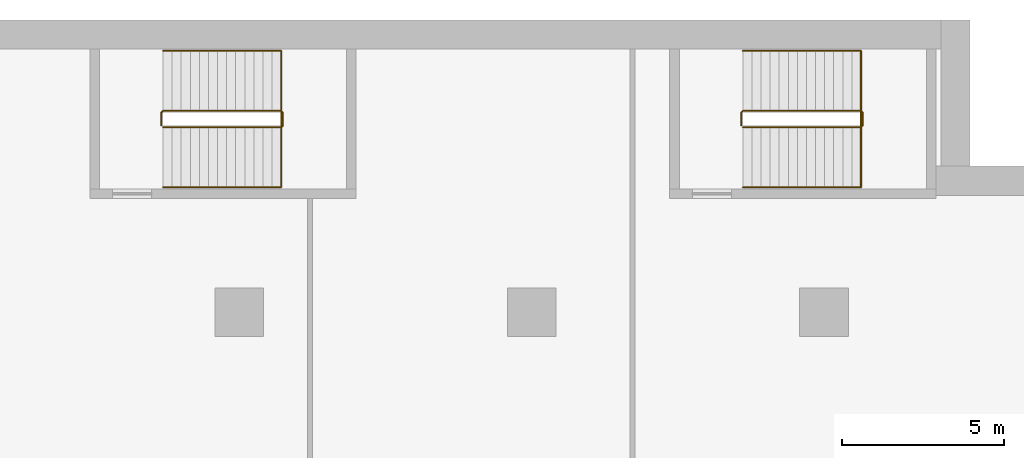
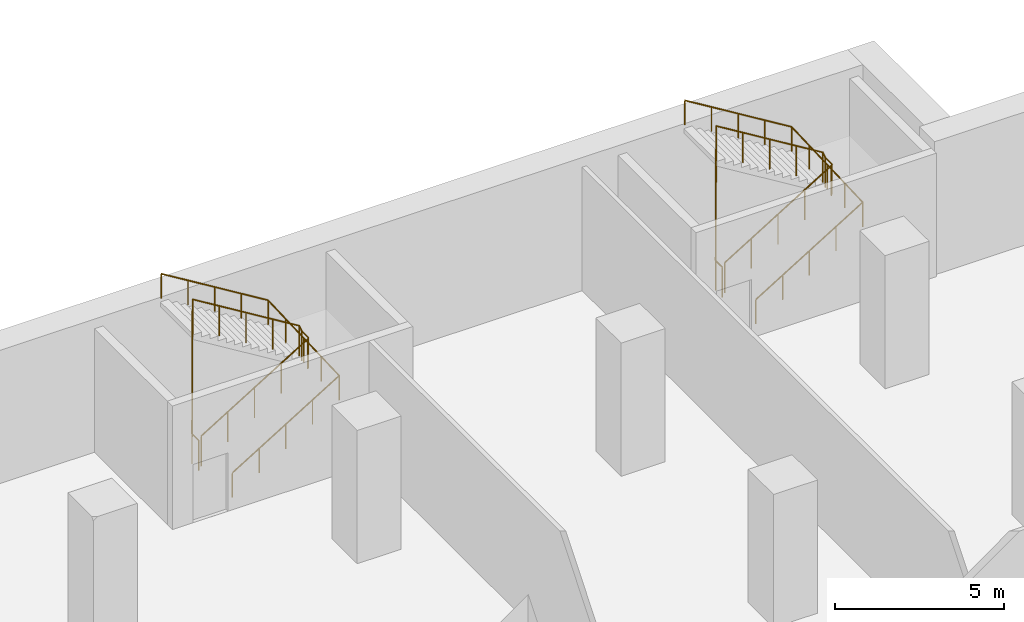
# One storey, part 49 of 49: 4 railings.
"""IFC4 building model written with IfcOpenShell, lengths in metres."""

import ifcopenshell
import ifcopenshell.guid

model = None  # the IFC model being written
_history = None  # IfcOwnerHistory: only IFC2X3 demands one
_inside = {}  # id of a spatial element -> (the spatial element, [elements in it])
_under = {}  # id of a project, library or spatial element -> (it, [spatial elements below it])
_declared = {}  # id of a project -> (the project, [libraries it declares])
_typed = {}  # id of a type object -> (the type object, [elements of that type])
_made_of = {}  # id of a material, layer set ... -> (it, [elements and type objects made of it])


def new_model(schema):
    """Start an empty IFC model of exactly this schema.

    Asked for "IFC4X3", IfcOpenShell would pick the latest addendum, in which some entities
    have other attributes; the version numbers below select the first issue.
    IFC2X3 requires an IfcOwnerHistory on every rooted entity: one is made here for all.
    """
    global model, _history
    if schema == "IFC4X3":
        model = ifcopenshell.file(schema_version=(4, 3, 0, 0))
    else:
        model = ifcopenshell.file(schema=schema)
    _inside.clear()
    _under.clear()
    _declared.clear()
    _typed.clear()
    _made_of.clear()
    _history = None
    if model.schema == "IFC2X3":
        org = make("IfcOrganization", Name="unknown")
        user = make(
            "IfcPersonAndOrganization",
            ThePerson=make("IfcPerson", FamilyName="unknown"),
            TheOrganization=org,
        )
        app = make(
            "IfcApplication",
            ApplicationDeveloper=org,
            Version="unknown",
            ApplicationFullName="unknown",
            ApplicationIdentifier="unknown",
        )
        _history = make(
            "IfcOwnerHistory",
            OwningUser=user,
            OwningApplication=app,
            ChangeAction="ADDED",
            CreationDate=0,
        )
    return model


def make(cls, **values):
    """One entity of the class cls with the attributes given. An attribute that is None is left unset."""
    return model.create_entity(
        cls, **{name: value for name, value in values.items() if value is not None}
    )


def rooted(cls, **values):
    """An entity with a GlobalId (a new one), such as an element, a storey or a relation."""
    return make(cls, GlobalId=ifcopenshell.guid.new(), OwnerHistory=_history, **values)


def si_unit(unit_type, name, prefix=None):
    """IfcSIUnit, for example si_unit("LENGTHUNIT", "METRE", prefix="MILLI")."""
    return make("IfcSIUnit", UnitType=unit_type, Prefix=prefix, Name=name)


def assignment(units):
    """IfcUnitAssignment: the units of a project."""
    return None if units is None else make("IfcUnitAssignment", Units=units)


def point(xyz):
    """IfcCartesianPoint."""
    return None if xyz is None else make("IfcCartesianPoint", Coordinates=xyz)


def direction(xyz):
    """IfcDirection."""
    return None if xyz is None else make("IfcDirection", DirectionRatios=xyz)


def frame(location, z_axis=None, x_axis=None):
    """IfcAxis2Placement3D, a coordinate frame: its origin and axes. An axis left out is left unset."""
    return make(
        "IfcAxis2Placement3D",
        Location=point(location),
        Axis=direction(z_axis),
        RefDirection=direction(x_axis),
    )


def frame_2d(location, x_axis=None):
    """IfcAxis2Placement2D, a coordinate frame in the plane: its origin and x axis."""
    return make(
        "IfcAxis2Placement2D", Location=point(location), RefDirection=direction(x_axis)
    )


def origin():
    """The frame at (0, 0, 0) with its axes left unset."""
    return frame((0.0, 0.0, 0.0))


def origin_2d():
    """The frame at (0, 0) in the plane with its x axis left unset."""
    return frame_2d((0.0, 0.0))


def place(relative_to, where):
    """IfcLocalPlacement: puts the frame where relative to a parent placement (None: the world)."""
    return make(
        "IfcLocalPlacement", PlacementRelTo=relative_to, RelativePlacement=where
    )


def context(
    kind, dimensions, precision=None, world=None, true_north=None, identifier=None
):
    """IfcGeometricRepresentationContext, for example the 3D "Model" context."""
    return make(
        "IfcGeometricRepresentationContext",
        ContextIdentifier=identifier,
        ContextType=kind,
        CoordinateSpaceDimension=dimensions,
        Precision=precision,
        WorldCoordinateSystem=world,
        TrueNorth=true_north,
    )


def subcontext(parent, identifier, kind, view, scale=None):
    """IfcGeometricRepresentationSubContext, for example "Body" below "Model"."""
    return make(
        "IfcGeometricRepresentationSubContext",
        ContextIdentifier=identifier,
        ContextType=kind,
        ParentContext=parent,
        TargetScale=scale,
        TargetView=view,
    )


def project(units=None, contexts=None):
    """IfcProject with its units and contexts."""
    return rooted(
        "IfcProject",
        Name="project",
        RepresentationContexts=contexts,
        UnitsInContext=assignment(units),
    )


def spatial(cls, under=None, at=None, **own):
    """A site, building, storey or space (cls), placed at a placement, below another one or the project."""
    s = rooted(cls, ObjectPlacement=at, **own)
    if under is not None:
        _under.setdefault(under.id(), (under, []))[1].append(s)
    return s


def profile(cls, at=None, kind="AREA", **sizes):
    """A parametric profile (cls). Its sizes go by their IFC names, for example OverallWidth=200.0."""
    return make(cls, ProfileType=kind, Position=at, **sizes)


def circle(**sizes):
    """IfcCircleProfileDef."""
    return profile("IfcCircleProfileDef", **sizes)


def extrude(swept, where, along, depth):
    """IfcExtrudedAreaSolid: the profile swept, set in the frame where, extruded along a direction by depth."""
    return make(
        "IfcExtrudedAreaSolid",
        SweptArea=swept,
        Position=where,
        ExtrudedDirection=direction(along),
        Depth=depth,
    )


def shape(context_of_items, identifier, shape_type, items):
    """IfcShapeRepresentation: the items that make up one representation, for example the "Body"."""
    return make(
        "IfcShapeRepresentation",
        ContextOfItems=context_of_items,
        RepresentationIdentifier=identifier,
        RepresentationType=shape_type,
        Items=items,
    )


def material(Name=None, Category=None):
    """IfcMaterial."""
    return make("IfcMaterial", Name=Name, Category=Category)


def made_of(thing, what):
    """Note that an element or type object is made of a material, layer set ...; save() writes the relation."""
    if what is not None:
        _made_of.setdefault(what.id(), (what, []))[1].append(thing)
    return thing


def type_object(cls, material=None, **own):
    """A type object (cls), such as IfcWallType, which elements share."""
    return made_of(rooted(cls, **own), material)


def element(
    cls,
    number,
    at=None,
    inside=None,
    cuts=None,
    type_object=None,
    material=None,
    context=None,
    identifier="Body",
    shape_type=None,
    held_by="IfcProductDefinitionShape",
    body=None,
    shapes=None,
    **own,
):
    """One element of the class cls, such as IfcWall. Its Tag is "e" and its number.

    at: its placement. inside: the storey or other place that contains it. cuts: it is an
    opening in that element (IfcRelVoidsElement). A single representation is given by context,
    identifier, shape_type and body (its items); several are given by shapes. held_by: the class
    of the entity that holds the representations. save() writes the other relations.
    """
    e = rooted(cls, Tag="e%d" % number, ObjectPlacement=at, **own)
    if body is not None:
        shapes = [shape(context, identifier, shape_type, body)]
    if shapes is not None:
        e.Representation = make(held_by, Representations=shapes)
    if inside is not None:
        _inside.setdefault(inside.id(), (inside, []))[1].append(e)
    if cuts is not None:
        rooted(
            "IfcRelVoidsElement", RelatingBuildingElement=cuts, RelatedOpeningElement=e
        )
    if type_object is not None:
        _typed.setdefault(type_object.id(), (type_object, []))[1].append(e)
    return made_of(e, material)


def aggregate(whole, parts):
    """IfcRelAggregates: a whole, such as a stair, and the parts it consists of."""
    return rooted("IfcRelAggregates", RelatingObject=whole, RelatedObjects=parts)


def save(model, path):
    """Write the relations noted so far, then the file.

    IfcRelAggregates (storeys below a building ...), IfcRelContainedInSpatialStructure (elements
    in a storey), IfcRelDefinesByType, IfcRelAssociatesMaterial and IfcRelDeclares: one each for
    every whole, place, type object, material and project.
    """
    for whole, parts in _under.values():
        aggregate(whole, parts)
    for where, things in _inside.values():
        rooted(
            "IfcRelContainedInSpatialStructure",
            RelatedElements=things,
            RelatingStructure=where,
        )
    for kind, things in _typed.values():
        rooted("IfcRelDefinesByType", RelatedObjects=things, RelatingType=kind)
    for what, things in _made_of.values():
        rooted("IfcRelAssociatesMaterial", RelatedObjects=things, RelatingMaterial=what)
    for by, libraries in _declared.values():
        rooted("IfcRelDeclares", RelatingContext=by, RelatedDefinitions=libraries)
    model.write(path)


model = new_model("IFC4")

# Units and contexts
model_context = context("Model", 3, precision=1e-05, world=origin(), true_north=direction((0.0, 1.0)))
body_context = subcontext(model_context, "Body", "Model", "MODEL_VIEW")
ifc_project = project(units=[si_unit("LENGTHUNIT", "METRE"), si_unit("AREAUNIT", "SQUARE_METRE"), si_unit("VOLUMEUNIT", "CUBIC_METRE"), si_unit("PLANEANGLEUNIT", "RADIAN"), si_unit("MASSUNIT", "GRAM", prefix="KILO")], contexts=[model_context])

# Site, building, storey
site_placement = place(None, origin())
site = spatial("IfcSite", under=ifc_project, at=site_placement, CompositionType="ELEMENT")
building_placement = place(site_placement, origin())
building = spatial("IfcBuilding", under=site, at=building_placement, Name="Hunhe Ridgeline Campus", CompositionType="ELEMENT")
storey_placement = place(building_placement, frame((0.0, 0.0, 21.60009765625)))
storey = spatial("IfcBuildingStorey", under=building, at=storey_placement, Name="L04", CompositionType="ELEMENT", Elevation=21.60009765625)

# Railings
ifc_material_1 = material(Name="Stainless steel balustrade", Category="steel")
railing_type_1 = type_object("IfcRailingType", Name="Stair guard 1100 stainless", PredefinedType="GUARDRAIL", material=ifc_material_1)
railing_1_placement = place(storey_placement, frame((69.64990234375, 95.699951171875, 0.17138671875)))
element("IfcRailing", 1, at=railing_1_placement, inside=storey, type_object=railing_type_1, Name="L04 stair E3 guard", PredefinedType="GUARDRAIL", context=body_context, shape_type="SweptSolid", body=[
    extrude(circle(Radius=0.02392578125, at=origin_2d()), frame((0.0, 0.0, 1.076171875), z_axis=(0.852865859571, 0.0, 0.52213008492), x_axis=(0.0, 1.0, 0.0)), (0.0, 0.0, 1.0), 4.26806640625),
    extrude(circle(Radius=0.02392578125, at=origin_2d()), frame((3.64013671875, 0.0, 3.3046875), z_axis=(0.707106781187, 0.707106781187, 0.0), x_axis=(-0.707106781187, 0.707106781187, 0.0)), (0.0, 0.0, 1.0), 0.07080078125),
    extrude(circle(Radius=0.02392578125, at=origin_2d()), frame((3.690185546875, 0.050048828125, 3.3046875), z_axis=(0.0, 1.0, 0.0), x_axis=(-1.0, 0.0, 0.0)), (0.0, 0.0, 1.0), 0.39990234375),
    extrude(circle(Radius=0.02392578125, at=origin_2d()), frame((3.690185546875, 0.449951171875, 3.3046875), z_axis=(-0.269911200495, 0.269911200495, 0.924281281696), x_axis=(-0.707106781187, -0.707106781187, 0.0)), (0.0, 0.0, 1.0), 0.185546875),
    extrude(circle(Radius=0.02392578125, at=origin_2d()), frame((3.64013671875, 0.5, 3.47607421875), z_axis=(-0.852865859571, 0.0, 0.52213008492), x_axis=(0.0, -1.0, 0.0)), (0.0, 0.0, 1.0), 4.26806640625),
    extrude(circle(Radius=0.02392578125, at=origin_2d()), frame((0.0, 0.5, 5.70458984375), z_axis=(-0.010375276248, -0.010426135445, -0.99989181882), x_axis=(0.708833529934, -0.705375805398, 0.0)), (0.0, 0.0, 1.0), 4.80029296875),
    extrude(circle(Radius=0.02392578125, at=origin_2d()), frame((-0.0498046875, 0.449951171875, 0.90478515625), z_axis=(0.0, -1.0, 0.0), x_axis=(1.0, 0.0, 0.0)), (0.0, 0.0, 1.0), 0.39990234375),
    extrude(circle(Radius=0.02099609375, at=origin_2d()), origin(), (0.0, 0.0, 1.0), 1.052001953125),
    extrude(circle(Radius=0.02099609375, at=origin_2d()), frame((0.91015625, 0.0, 0.55712890625)), (0.0, 0.0, 1.0), 1.052001953125),
    extrude(circle(Radius=0.02099609375, at=origin_2d()), frame((1.820068359375, 0.0, 1.1142578125)), (0.0, 0.0, 1.0), 1.052001953125),
    extrude(circle(Radius=0.02099609375, at=origin_2d()), frame((2.72998046875, 0.0, 1.67138671875)), (0.0, 0.0, 1.0), 1.052001953125),
    extrude(circle(Radius=0.02099609375, at=origin_2d()), frame((3.64013671875, 0.0, 2.228515625)), (0.0, 0.0, 1.0), 1.052001953125),
    extrude(circle(Radius=0.02099609375, at=origin_2d()), frame((3.690185546875, 0.050048828125, 2.228515625)), (0.0, 0.0, 1.0), 1.052001953125),
    extrude(circle(Radius=0.02099609375, at=origin_2d()), frame((3.690185546875, 0.449951171875, 2.228515625)), (0.0, 0.0, 1.0), 1.052001953125),
    extrude(circle(Radius=0.02099609375, at=origin_2d()), frame((3.64013671875, 0.5, 2.39990234375)), (0.0, 0.0, 1.0), 1.052001953125),
    extrude(circle(Radius=0.02099609375, at=origin_2d()), frame((2.72998046875, 0.5, 2.95703125)), (0.0, 0.0, 1.0), 1.052001953125),
    extrude(circle(Radius=0.02099609375, at=origin_2d()), frame((1.820068359375, 0.5, 3.51416015625)), (0.0, 0.0, 1.0), 1.052001953125),
    extrude(circle(Radius=0.02099609375, at=origin_2d()), frame((0.91015625, 0.5, 4.0712890625)), (0.0, 0.0, 1.0), 1.052001953125),
    extrude(circle(Radius=0.02099609375, at=origin_2d()), frame((0.0, 0.5, 4.62841796875)), (0.0, 0.0, 1.0), 1.052001953125),
    extrude(circle(Radius=0.02099609375, at=origin_2d()), frame((-0.010009765625, 0.489990234375, 3.66845703125)), (0.0, 0.0, 1.0), 1.052001953125),
    extrude(circle(Radius=0.02099609375, at=origin_2d()), frame((-0.02001953125, 0.47998046875, 2.70849609375)), (0.0, 0.0, 1.0), 1.052001953125),
    extrude(circle(Radius=0.02099609375, at=origin_2d()), frame((-0.02978515625, 0.469970703125, 1.74853515625)), (0.0, 0.0, 1.0), 1.052001953125),
    extrude(circle(Radius=0.02099609375, at=origin_2d()), frame((-0.039794921875, 0.4599609375, 0.78857421875)), (0.0, 0.0, 1.0), 1.052001953125),
    extrude(circle(Radius=0.02099609375, at=origin_2d()), frame((-0.0498046875, 0.449951171875, -0.17138671875)), (0.0, 0.0, 1.0), 1.052001953125),
    extrude(circle(Radius=0.02099609375, at=origin_2d()), frame((-0.0498046875, 0.050048828125, -0.17138671875)), (0.0, 0.0, 1.0), 1.052001953125),
])
railing_2_placement = place(storey_placement, frame((87.5, 95.699951171875, 0.17138671875)))
element("IfcRailing", 2, at=railing_2_placement, inside=storey, type_object=railing_type_1, Name="L04 stair E4 guard", PredefinedType="GUARDRAIL", context=body_context, shape_type="SweptSolid", body=[
    extrude(circle(Radius=0.02392578125, at=origin_2d()), frame((0.0, 0.0, 1.076171875), z_axis=(0.852850264322, 0.0, 0.5221555579), x_axis=(0.0, 1.0, 0.0)), (0.0, 0.0, 1.0), 4.267822265625),
    extrude(circle(Radius=0.02392578125, at=origin_2d()), frame((3.639892578125, 0.0, 3.3046875), z_axis=(0.707106781187, 0.707106781187, 0.0), x_axis=(-0.707106781187, 0.707106781187, 0.0)), (0.0, 0.0, 1.0), 0.07080078125),
    extrude(circle(Radius=0.02392578125, at=origin_2d()), frame((3.68994140625, 0.050048828125, 3.3046875), z_axis=(0.0, 1.0, 0.0), x_axis=(-1.0, 0.0, 0.0)), (0.0, 0.0, 1.0), 0.39990234375),
    extrude(circle(Radius=0.02392578125, at=origin_2d()), frame((3.68994140625, 0.449951171875, 3.3046875), z_axis=(-0.269911200495, 0.269911200495, 0.924281281696), x_axis=(-0.707106781187, -0.707106781187, 0.0)), (0.0, 0.0, 1.0), 0.185546875),
    extrude(circle(Radius=0.02392578125, at=origin_2d()), frame((3.639892578125, 0.5, 3.47607421875), z_axis=(-0.852850264322, 0.0, 0.5221555579), x_axis=(0.0, -1.0, 0.0)), (0.0, 0.0, 1.0), 4.267822265625),
    extrude(circle(Radius=0.02392578125, at=origin_2d()), frame((0.0, 0.5, 5.70458984375), z_axis=(-0.01042612993, -0.01042612993, -0.999891289906), x_axis=(0.707106781187, -0.707106781187, 0.0)), (0.0, 0.0, 1.0), 4.80029296875),
    extrude(circle(Radius=0.02392578125, at=origin_2d()), frame((-0.050048828125, 0.449951171875, 0.90478515625), z_axis=(0.0, -1.0, 0.0), x_axis=(1.0, 0.0, 0.0)), (0.0, 0.0, 1.0), 0.39990234375),
    extrude(circle(Radius=0.02099609375, at=origin_2d()), origin(), (0.0, 0.0, 1.0), 1.052001953125),
    extrude(circle(Radius=0.02099609375, at=origin_2d()), frame((0.909912109375, 0.0, 0.55712890625)), (0.0, 0.0, 1.0), 1.052001953125),
    extrude(circle(Radius=0.02099609375, at=origin_2d()), frame((1.81982421875, 0.0, 1.1142578125)), (0.0, 0.0, 1.0), 1.052001953125),
    extrude(circle(Radius=0.02099609375, at=origin_2d()), frame((2.72998046875, 0.0, 1.67138671875)), (0.0, 0.0, 1.0), 1.052001953125),
    extrude(circle(Radius=0.02099609375, at=origin_2d()), frame((3.639892578125, 0.0, 2.228515625)), (0.0, 0.0, 1.0), 1.052001953125),
    extrude(circle(Radius=0.02099609375, at=origin_2d()), frame((3.68994140625, 0.050048828125, 2.228515625)), (0.0, 0.0, 1.0), 1.052001953125),
    extrude(circle(Radius=0.02099609375, at=origin_2d()), frame((3.68994140625, 0.449951171875, 2.228515625)), (0.0, 0.0, 1.0), 1.052001953125),
    extrude(circle(Radius=0.02099609375, at=origin_2d()), frame((3.639892578125, 0.5, 2.39990234375)), (0.0, 0.0, 1.0), 1.052001953125),
    extrude(circle(Radius=0.02099609375, at=origin_2d()), frame((2.72998046875, 0.5, 2.95703125)), (0.0, 0.0, 1.0), 1.052001953125),
    extrude(circle(Radius=0.02099609375, at=origin_2d()), frame((1.81982421875, 0.5, 3.51416015625)), (0.0, 0.0, 1.0), 1.052001953125),
    extrude(circle(Radius=0.02099609375, at=origin_2d()), frame((0.909912109375, 0.5, 4.0712890625)), (0.0, 0.0, 1.0), 1.052001953125),
    extrude(circle(Radius=0.02099609375, at=origin_2d()), frame((0.0, 0.5, 4.62841796875)), (0.0, 0.0, 1.0), 1.052001953125),
    extrude(circle(Radius=0.02099609375, at=origin_2d()), frame((-0.010009765625, 0.489990234375, 3.66845703125)), (0.0, 0.0, 1.0), 1.052001953125),
    extrude(circle(Radius=0.02099609375, at=origin_2d()), frame((-0.02001953125, 0.47998046875, 2.70849609375)), (0.0, 0.0, 1.0), 1.052001953125),
    extrude(circle(Radius=0.02099609375, at=origin_2d()), frame((-0.030029296875, 0.469970703125, 1.74853515625)), (0.0, 0.0, 1.0), 1.052001953125),
    extrude(circle(Radius=0.02099609375, at=origin_2d()), frame((-0.0400390625, 0.4599609375, 0.78857421875)), (0.0, 0.0, 1.0), 1.052001953125),
    extrude(circle(Radius=0.02099609375, at=origin_2d()), frame((-0.050048828125, 0.449951171875, -0.17138671875)), (0.0, 0.0, 1.0), 1.052001953125),
    extrude(circle(Radius=0.02099609375, at=origin_2d()), frame((-0.050048828125, 0.050048828125, -0.17138671875)), (0.0, 0.0, 1.0), 1.052001953125),
])
ifc_material_2 = material(Name="Stainless steel handrail", Category="steel")
railing_type_2 = type_object("IfcRailingType", Name="Stair handrail 900 stainless", PredefinedType="HANDRAIL", material=ifc_material_2)
railing_3_placement = place(storey_placement, frame((69.64990234375, 93.85009765625, 0.17138671875)))
element("IfcRailing", 3, at=railing_3_placement, inside=storey, type_object=railing_type_2, Name="L04 stair E3 handrail", PredefinedType="HANDRAIL", context=body_context, shape_type="SweptSolid", body=[
    extrude(circle(Radius=0.02392578125, at=origin_2d()), frame((0.0, 0.0, 0.8759765625), z_axis=(0.852865859571, 0.0, 0.52213008492), x_axis=(0.0, 1.0, 0.0)), (0.0, 0.0, 1.0), 4.26806640625),
    extrude(circle(Radius=0.02392578125, at=origin_2d()), frame((3.64013671875, 0.0, 3.1044921875), z_axis=(0.0, 0.999168439458, 0.040772902662), x_axis=(-1.0, 0.0, 0.0)), (0.0, 0.0, 1.0), 4.203369140625),
    extrude(circle(Radius=0.02392578125, at=origin_2d()), frame((3.64013671875, 4.199951171875, 3.27587890625), z_axis=(-0.852865859571, 0.0, 0.52213008492), x_axis=(0.0, -1.0, 0.0)), (0.0, 0.0, 1.0), 4.26806640625),
    extrude(circle(Radius=0.02099609375, at=origin_2d()), origin(), (0.0, 0.0, 1.0), 0.851806640625),
    extrude(circle(Radius=0.02099609375, at=origin_2d()), frame((0.91015625, 0.0, 0.55712890625)), (0.0, 0.0, 1.0), 0.851806640625),
    extrude(circle(Radius=0.02099609375, at=origin_2d()), frame((1.820068359375, 0.0, 1.1142578125)), (0.0, 0.0, 1.0), 0.851806640625),
    extrude(circle(Radius=0.02099609375, at=origin_2d()), frame((2.72998046875, 0.0, 1.67138671875)), (0.0, 0.0, 1.0), 0.851806640625),
    extrude(circle(Radius=0.02099609375, at=origin_2d()), frame((3.64013671875, 0.0, 2.228515625)), (0.0, 0.0, 1.0), 0.851806640625),
    extrude(circle(Radius=0.02099609375, at=origin_2d()), frame((3.64013671875, 1.050048828125, 2.271484375)), (0.0, 0.0, 1.0), 0.851806640625),
    extrude(circle(Radius=0.02099609375, at=origin_2d()), frame((3.64013671875, 2.10009765625, 2.314208984375)), (0.0, 0.0, 1.0), 0.851806640625),
    extrude(circle(Radius=0.02099609375, at=origin_2d()), frame((3.64013671875, 3.14990234375, 2.35693359375)), (0.0, 0.0, 1.0), 0.851806640625),
    extrude(circle(Radius=0.02099609375, at=origin_2d()), frame((3.64013671875, 4.199951171875, 2.39990234375)), (0.0, 0.0, 1.0), 0.851806640625),
    extrude(circle(Radius=0.02099609375, at=origin_2d()), frame((2.72998046875, 4.199951171875, 2.95703125)), (0.0, 0.0, 1.0), 0.851806640625),
    extrude(circle(Radius=0.02099609375, at=origin_2d()), frame((1.820068359375, 4.199951171875, 3.51416015625)), (0.0, 0.0, 1.0), 0.851806640625),
    extrude(circle(Radius=0.02099609375, at=origin_2d()), frame((0.91015625, 4.199951171875, 4.0712890625)), (0.0, 0.0, 1.0), 0.851806640625),
    extrude(circle(Radius=0.02099609375, at=origin_2d()), frame((0.0, 4.199951171875, 4.62841796875)), (0.0, 0.0, 1.0), 0.851806640625),
])
railing_4_placement = place(storey_placement, frame((87.5, 93.85009765625, 0.17138671875)))
element("IfcRailing", 4, at=railing_4_placement, inside=storey, type_object=railing_type_2, Name="L04 stair E4 handrail", PredefinedType="HANDRAIL", context=body_context, shape_type="SweptSolid", body=[
    extrude(circle(Radius=0.02392578125, at=origin_2d()), frame((0.0, 0.0, 0.8759765625), z_axis=(0.852850264322, 0.0, 0.5221555579), x_axis=(0.0, 1.0, 0.0)), (0.0, 0.0, 1.0), 4.267822265625),
    extrude(circle(Radius=0.02392578125, at=origin_2d()), frame((3.639892578125, 0.0, 3.1044921875), z_axis=(0.0, 0.999168439458, 0.040772902662), x_axis=(-1.0, 0.0, 0.0)), (0.0, 0.0, 1.0), 4.203369140625),
    extrude(circle(Radius=0.02392578125, at=origin_2d()), frame((3.639892578125, 4.199951171875, 3.27587890625), z_axis=(-0.852850264322, 0.0, 0.5221555579), x_axis=(0.0, -1.0, 0.0)), (0.0, 0.0, 1.0), 4.267822265625),
    extrude(circle(Radius=0.02099609375, at=origin_2d()), origin(), (0.0, 0.0, 1.0), 0.851806640625),
    extrude(circle(Radius=0.02099609375, at=origin_2d()), frame((0.909912109375, 0.0, 0.55712890625)), (0.0, 0.0, 1.0), 0.851806640625),
    extrude(circle(Radius=0.02099609375, at=origin_2d()), frame((1.81982421875, 0.0, 1.1142578125)), (0.0, 0.0, 1.0), 0.851806640625),
    extrude(circle(Radius=0.02099609375, at=origin_2d()), frame((2.72998046875, 0.0, 1.67138671875)), (0.0, 0.0, 1.0), 0.851806640625),
    extrude(circle(Radius=0.02099609375, at=origin_2d()), frame((3.639892578125, 0.0, 2.228515625)), (0.0, 0.0, 1.0), 0.851806640625),
    extrude(circle(Radius=0.02099609375, at=origin_2d()), frame((3.639892578125, 1.050048828125, 2.271484375)), (0.0, 0.0, 1.0), 0.851806640625),
    extrude(circle(Radius=0.02099609375, at=origin_2d()), frame((3.639892578125, 2.10009765625, 2.314208984375)), (0.0, 0.0, 1.0), 0.851806640625),
    extrude(circle(Radius=0.02099609375, at=origin_2d()), frame((3.639892578125, 3.14990234375, 2.35693359375)), (0.0, 0.0, 1.0), 0.851806640625),
    extrude(circle(Radius=0.02099609375, at=origin_2d()), frame((3.639892578125, 4.199951171875, 2.39990234375)), (0.0, 0.0, 1.0), 0.851806640625),
    extrude(circle(Radius=0.02099609375, at=origin_2d()), frame((2.72998046875, 4.199951171875, 2.95703125)), (0.0, 0.0, 1.0), 0.851806640625),
    extrude(circle(Radius=0.02099609375, at=origin_2d()), frame((1.81982421875, 4.199951171875, 3.51416015625)), (0.0, 0.0, 1.0), 0.851806640625),
    extrude(circle(Radius=0.02099609375, at=origin_2d()), frame((0.909912109375, 4.199951171875, 4.0712890625)), (0.0, 0.0, 1.0), 0.851806640625),
    extrude(circle(Radius=0.02099609375, at=origin_2d()), frame((0.0, 4.199951171875, 4.62841796875)), (0.0, 0.0, 1.0), 0.851806640625),
])

save(model, "model.ifc")
